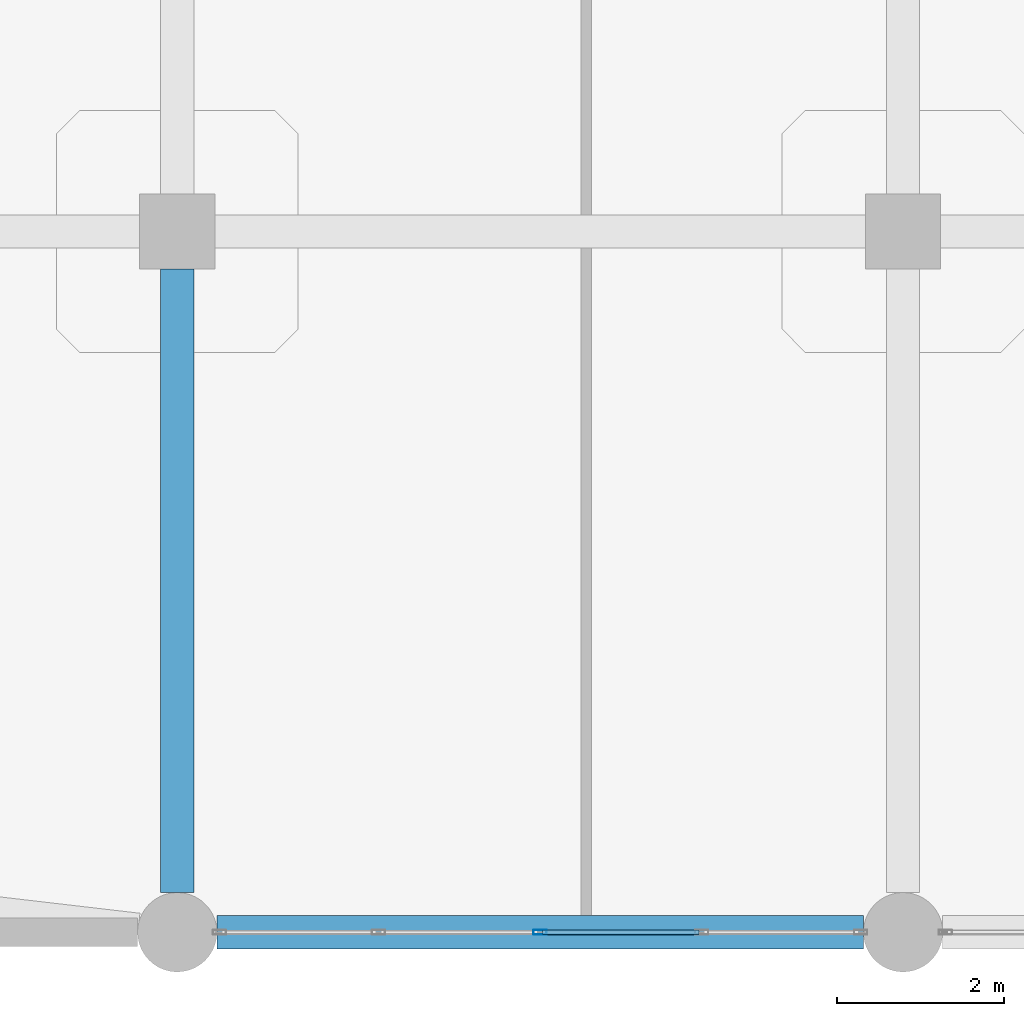
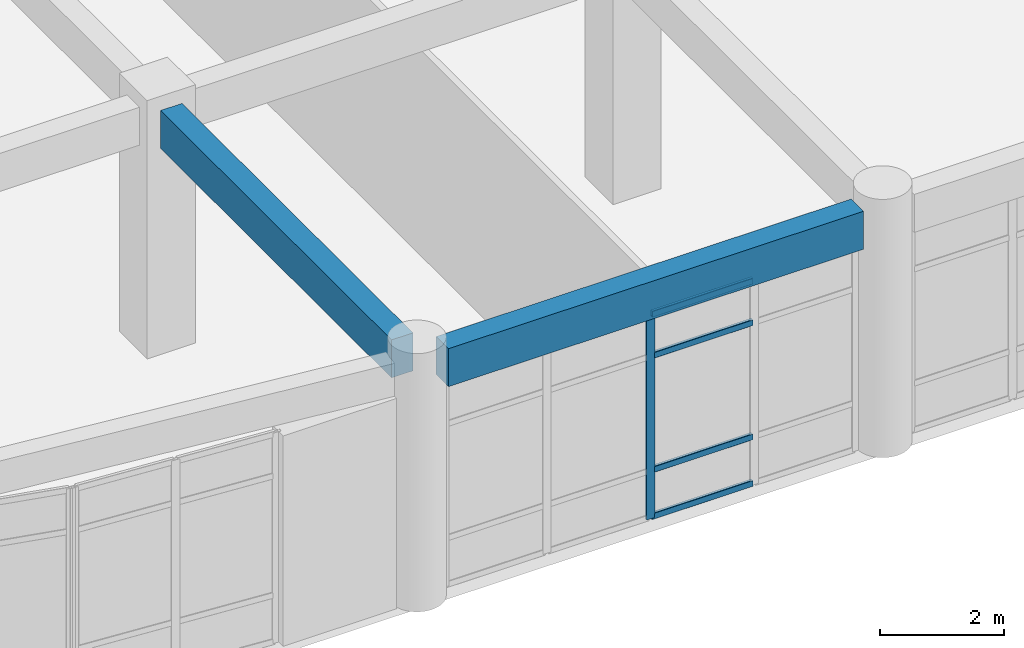
# One storey, part 6 of 120: 5 members, 2 beams, 1 element without a shape of its own.
"""IFC4 building model written with IfcOpenShell, lengths in metres."""

from ifc_helpers import new_model, si_unit, derived_unit, direction, frame, origin, origin_2d, place, context, subcontext, project, spatial, rectangle, hollow_rectangle, extrude, material, layer, layer_set, material_profile, profile_set, type_object, element, aggregate, save


model = new_model("IFC4")

# Units and contexts
model_context = context("Model", 3, precision=1e-05, world=origin(), true_north=direction((0.0, 1.0)))
body_context = subcontext(model_context, "Body", "Model", "MODEL_VIEW")
ifc_project = project(units=[si_unit("LENGTHUNIT", "METRE"), si_unit("AREAUNIT", "SQUARE_METRE"), si_unit("VOLUMEUNIT", "CUBIC_METRE"), si_unit("PLANEANGLEUNIT", "RADIAN"), si_unit("MASSUNIT", "GRAM", prefix="KILO"), derived_unit("THERMALTRANSMITTANCEUNIT", [(si_unit("MASSUNIT", "GRAM", prefix="KILO"), 1), (si_unit("TIMEUNIT", "SECOND"), -3), (si_unit("THERMODYNAMICTEMPERATUREUNIT", "KELVIN"), -1)])], contexts=[model_context])

# Site, building, storey
site_placement = place(None, origin())
site = spatial("IfcSite", under=ifc_project, at=site_placement, CompositionType="ELEMENT")
building_placement = place(site_placement, origin())
building = spatial("IfcBuilding", under=site, at=building_placement, Name="Qinzheling Arcade Emporium", CompositionType="ELEMENT")
storey_placement = place(building_placement, frame((0.0, 0.0, 11.39990234375)))
storey = spatial("IfcBuildingStorey", under=building, at=storey_placement, Name="L03", CompositionType="ELEMENT", Elevation=11.39990234375)

# Curtain wall, members
ifc_material_1 = material(Name="Anodised aluminium and solar-control double glazing", Category="aluminium")
ifc_layer = layer(ifc_material_1, 0.159912109375, Name="Anodised aluminium and solar-control double glazing", Category="aluminium")
ifc_layer_set = layer_set([ifc_layer], Name="Anodised aluminium and solar-control double glazing")
curtain_wall_type = type_object("IfcCurtainWallType", Name="Arcade Portal Glazed Curtain Wall", PredefinedType="NOTDEFINED", material=ifc_layer_set)
curtain_wall_placement = place(storey_placement, origin())
curtain_wall = element("IfcCurtainWall", 1, at=curtain_wall_placement, inside=storey, type_object=curtain_wall_type, Name="Curtain Wall CW-L03-152", PredefinedType="NOTDEFINED")
ifc_material_2 = material(Name="Anodised aluminium 6063-T6", Category="aluminium")
ifc_material_profile_1 = material_profile(ifc_material_2, hollow_rectangle(XDim=0.06005859375, YDim=0.159912109375, WallThickness=0.00390625, InnerFilletRadius=0.00390625, OuterFilletRadius=0.008056640625, at=origin_2d()), Name="RHS 160x60x4", Category="aluminium")
ifc_profile_set_1 = profile_set([ifc_material_profile_1], Name="Anodised aluminium 6063-T6")
member_type_1 = type_object("IfcMemberType", Name="Curtain Wall Mullion RHS160x60", PredefinedType="MULLION", material=ifc_profile_set_1)
member_1_placement = place(storey_placement, frame((30.449951171875, 0.0, 0.0), z_axis=(0.0, 0.0, 1.0), x_axis=(0.0, -1.0, 0.0)))
member_1 = element("IfcMember", 2, at=member_1_placement, type_object=member_type_1, Name="CW05 mullion 3", PredefinedType="MULLION", context=body_context, shape_type="SweptSolid", body=[
    extrude(hollow_rectangle(XDim=0.06005859375, YDim=0.159912109375, WallThickness=0.00390625, InnerFilletRadius=0.00390625, OuterFilletRadius=0.008056640625, at=origin_2d()), origin(), (0.0, 0.0, 1.0), 4.05517578125),
])
ifc_material_profile_2 = material_profile(ifc_material_2, hollow_rectangle(XDim=0.06005859375, YDim=0.1201171875, WallThickness=0.00390625, InnerFilletRadius=0.00390625, OuterFilletRadius=0.008056640625, at=origin_2d()), Name="RHS 120x60x4", Category="aluminium")
ifc_profile_set_2 = profile_set([ifc_material_profile_2], Name="Anodised aluminium 6063-T6")
member_type_2 = type_object("IfcMemberType", Name="Curtain Wall Transom RHS120x60", PredefinedType="USERDEFINED", material=ifc_profile_set_2)
member_2_placement = place(storey_placement, frame((32.3564453125, 0.0, 0.030029296875), z_axis=(-1.0, 0.0, 0.0), x_axis=(0.0, -1.0, 0.0)))
member_2 = element("IfcMember", 3, at=member_2_placement, type_object=member_type_2, Name="CW05 transom 2.1", ObjectType="TRANSOM", PredefinedType="USERDEFINED", context=body_context, shape_type="SweptSolid", body=[
    extrude(hollow_rectangle(XDim=0.06005859375, YDim=0.1201171875, WallThickness=0.00390625, InnerFilletRadius=0.00390625, OuterFilletRadius=0.008056640625, at=origin_2d()), origin(), (0.0, 0.0, 1.0), 1.87646484375),
])
member_3_placement = place(storey_placement, frame((32.3564453125, 0.0, 0.9501953125), z_axis=(-1.0, 0.0, 0.0), x_axis=(0.0, -1.0, 0.0)))
member_3 = element("IfcMember", 4, at=member_3_placement, type_object=member_type_2, Name="CW05 transom 2.2", ObjectType="TRANSOM", PredefinedType="USERDEFINED", context=body_context, shape_type="SweptSolid", body=[
    extrude(hollow_rectangle(XDim=0.06005859375, YDim=0.1201171875, WallThickness=0.00390625, InnerFilletRadius=0.00390625, OuterFilletRadius=0.008056640625, at=origin_2d()), origin(), (0.0, 0.0, 1.0), 1.87646484375),
])
member_4_placement = place(storey_placement, frame((32.3564453125, 0.0, 3.205078125), z_axis=(-1.0, 0.0, 0.0), x_axis=(0.0, -1.0, 0.0)))
member_4 = element("IfcMember", 5, at=member_4_placement, type_object=member_type_2, Name="CW05 transom 2.3", ObjectType="TRANSOM", PredefinedType="USERDEFINED", context=body_context, shape_type="SweptSolid", body=[
    extrude(hollow_rectangle(XDim=0.06005859375, YDim=0.1201171875, WallThickness=0.00390625, InnerFilletRadius=0.00390625, OuterFilletRadius=0.008056640625, at=origin_2d()), origin(), (0.0, 0.0, 1.0), 1.87646484375),
])
member_5_placement = place(storey_placement, frame((32.3564453125, 0.0, 4.025146484375), z_axis=(-1.0, 0.0, 0.0), x_axis=(0.0, -1.0, 0.0)))
member_5 = element("IfcMember", 6, at=member_5_placement, type_object=member_type_2, Name="CW05 transom 2.4", ObjectType="TRANSOM", PredefinedType="USERDEFINED", context=body_context, shape_type="SweptSolid", body=[
    extrude(hollow_rectangle(XDim=0.06005859375, YDim=0.1201171875, WallThickness=0.00390625, InnerFilletRadius=0.00390625, OuterFilletRadius=0.008056640625, at=origin_2d()), origin(), (0.0, 0.0, 1.0), 1.87646484375),
])
aggregate(curtain_wall, [member_1, member_2, member_3, member_4, member_5])

# Beams
ifc_material_3 = material(Name="Concrete C40", Category="concrete")
ifc_material_profile_3 = material_profile(ifc_material_3, rectangle(XDim=0.39990234375, YDim=0.75, at=origin_2d()), Name="RC 400x750", Category="concrete")
ifc_profile_set_3 = profile_set([ifc_material_profile_3], Name="Concrete C40")
beam_type = type_object("IfcBeamType", Name="RC Interior Tie Beam 400x750 C40", PredefinedType="BEAM", material=ifc_profile_set_3)
beam_1_placement = place(storey_placement, frame((26.574951171875, 0.0, 4.445068359375), z_axis=(1.0, 0.0, 0.0), x_axis=(0.0, 1.0, 0.0)))
element("IfcBeam", 7, at=beam_1_placement, inside=storey, type_object=beam_type, Name="Beam BM-L03-X-A-4", PredefinedType="BEAM", context=body_context, shape_type="SweptSolid", body=[
    extrude(rectangle(XDim=0.39990234375, YDim=0.75, at=origin_2d()), origin(), (0.0, 0.0, 1.0), 7.75),
])
beam_2_placement = place(storey_placement, frame((26.10009765625, 0.47509765625, 4.445068359375), z_axis=(0.0, 1.0, 0.0), x_axis=(-1.0, 0.0, 0.0)))
element("IfcBeam", 8, at=beam_2_placement, inside=storey, type_object=beam_type, Name="Beam BM-L03-Y-4-A", PredefinedType="BEAM", context=body_context, shape_type="SweptSolid", body=[
    extrude(rectangle(XDim=0.39990234375, YDim=0.75, at=origin_2d()), origin(), (0.0, 0.0, 1.0), 7.474853515625),
])

save(model, "model.ifc")
